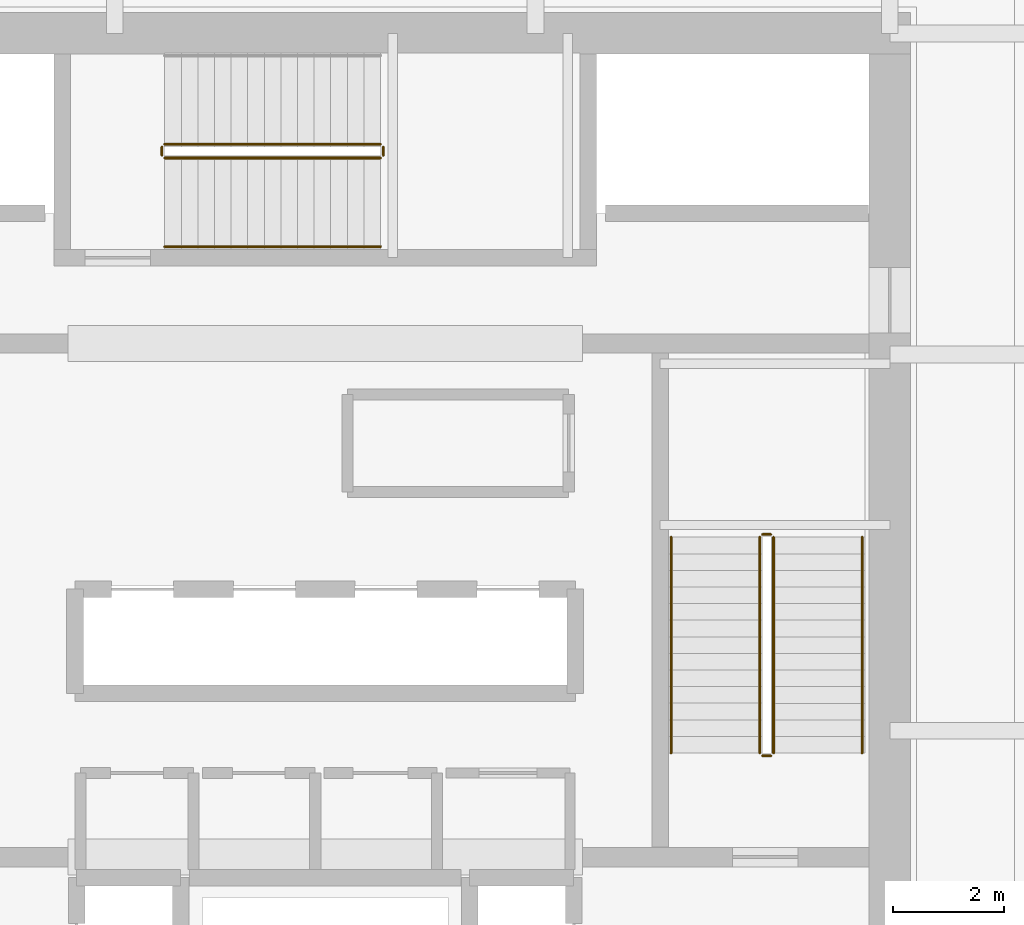
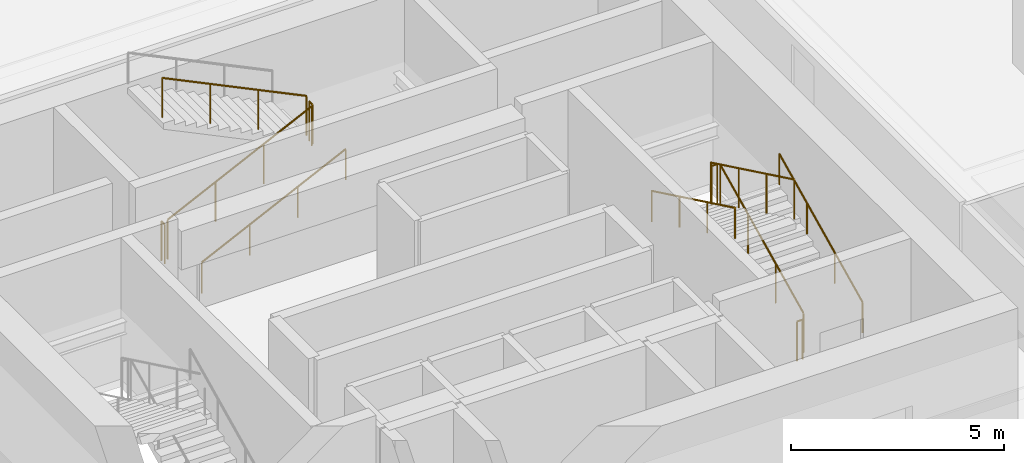
# One storey, part 37 of 42: 11 railings.
"""IFC4 building model written with IfcOpenShell, lengths in metres."""

import ifcopenshell
import ifcopenshell.guid

model = None  # the IFC model being written
_history = None  # IfcOwnerHistory: only IFC2X3 demands one
_inside = {}  # id of a spatial element -> (the spatial element, [elements in it])
_under = {}  # id of a project, library or spatial element -> (it, [spatial elements below it])
_declared = {}  # id of a project -> (the project, [libraries it declares])
_typed = {}  # id of a type object -> (the type object, [elements of that type])
_made_of = {}  # id of a material, layer set ... -> (it, [elements and type objects made of it])


def new_model(schema):
    """Start an empty IFC model of exactly this schema.

    Asked for "IFC4X3", IfcOpenShell would pick the latest addendum, in which some entities
    have other attributes; the version numbers below select the first issue.
    IFC2X3 requires an IfcOwnerHistory on every rooted entity: one is made here for all.
    """
    global model, _history
    if schema == "IFC4X3":
        model = ifcopenshell.file(schema_version=(4, 3, 0, 0))
    else:
        model = ifcopenshell.file(schema=schema)
    _inside.clear()
    _under.clear()
    _declared.clear()
    _typed.clear()
    _made_of.clear()
    _history = None
    if model.schema == "IFC2X3":
        org = make("IfcOrganization", Name="unknown")
        user = make(
            "IfcPersonAndOrganization",
            ThePerson=make("IfcPerson", FamilyName="unknown"),
            TheOrganization=org,
        )
        app = make(
            "IfcApplication",
            ApplicationDeveloper=org,
            Version="unknown",
            ApplicationFullName="unknown",
            ApplicationIdentifier="unknown",
        )
        _history = make(
            "IfcOwnerHistory",
            OwningUser=user,
            OwningApplication=app,
            ChangeAction="ADDED",
            CreationDate=0,
        )
    return model


def make(cls, **values):
    """One entity of the class cls with the attributes given. An attribute that is None is left unset."""
    return model.create_entity(
        cls, **{name: value for name, value in values.items() if value is not None}
    )


def rooted(cls, **values):
    """An entity with a GlobalId (a new one), such as an element, a storey or a relation."""
    return make(cls, GlobalId=ifcopenshell.guid.new(), OwnerHistory=_history, **values)


def si_unit(unit_type, name, prefix=None):
    """IfcSIUnit, for example si_unit("LENGTHUNIT", "METRE", prefix="MILLI")."""
    return make("IfcSIUnit", UnitType=unit_type, Prefix=prefix, Name=name)


def assignment(units):
    """IfcUnitAssignment: the units of a project."""
    return None if units is None else make("IfcUnitAssignment", Units=units)


def point(xyz):
    """IfcCartesianPoint."""
    return None if xyz is None else make("IfcCartesianPoint", Coordinates=xyz)


def direction(xyz):
    """IfcDirection."""
    return None if xyz is None else make("IfcDirection", DirectionRatios=xyz)


def frame(location, z_axis=None, x_axis=None):
    """IfcAxis2Placement3D, a coordinate frame: its origin and axes. An axis left out is left unset."""
    return make(
        "IfcAxis2Placement3D",
        Location=point(location),
        Axis=direction(z_axis),
        RefDirection=direction(x_axis),
    )


def frame_2d(location, x_axis=None):
    """IfcAxis2Placement2D, a coordinate frame in the plane: its origin and x axis."""
    return make(
        "IfcAxis2Placement2D", Location=point(location), RefDirection=direction(x_axis)
    )


def origin():
    """The frame at (0, 0, 0) with its axes left unset."""
    return frame((0.0, 0.0, 0.0))


def origin_2d():
    """The frame at (0, 0) in the plane with its x axis left unset."""
    return frame_2d((0.0, 0.0))


def place(relative_to, where):
    """IfcLocalPlacement: puts the frame where relative to a parent placement (None: the world)."""
    return make(
        "IfcLocalPlacement", PlacementRelTo=relative_to, RelativePlacement=where
    )


def context(
    kind, dimensions, precision=None, world=None, true_north=None, identifier=None
):
    """IfcGeometricRepresentationContext, for example the 3D "Model" context."""
    return make(
        "IfcGeometricRepresentationContext",
        ContextIdentifier=identifier,
        ContextType=kind,
        CoordinateSpaceDimension=dimensions,
        Precision=precision,
        WorldCoordinateSystem=world,
        TrueNorth=true_north,
    )


def subcontext(parent, identifier, kind, view, scale=None):
    """IfcGeometricRepresentationSubContext, for example "Body" below "Model"."""
    return make(
        "IfcGeometricRepresentationSubContext",
        ContextIdentifier=identifier,
        ContextType=kind,
        ParentContext=parent,
        TargetScale=scale,
        TargetView=view,
    )


def project(units=None, contexts=None):
    """IfcProject with its units and contexts."""
    return rooted(
        "IfcProject",
        Name="project",
        RepresentationContexts=contexts,
        UnitsInContext=assignment(units),
    )


def spatial(cls, under=None, at=None, **own):
    """A site, building, storey or space (cls), placed at a placement, below another one or the project."""
    s = rooted(cls, ObjectPlacement=at, **own)
    if under is not None:
        _under.setdefault(under.id(), (under, []))[1].append(s)
    return s


def profile(cls, at=None, kind="AREA", **sizes):
    """A parametric profile (cls). Its sizes go by their IFC names, for example OverallWidth=200.0."""
    return make(cls, ProfileType=kind, Position=at, **sizes)


def circle(**sizes):
    """IfcCircleProfileDef."""
    return profile("IfcCircleProfileDef", **sizes)


def extrude(swept, where, along, depth):
    """IfcExtrudedAreaSolid: the profile swept, set in the frame where, extruded along a direction by depth."""
    return make(
        "IfcExtrudedAreaSolid",
        SweptArea=swept,
        Position=where,
        ExtrudedDirection=direction(along),
        Depth=depth,
    )


def shape(context_of_items, identifier, shape_type, items):
    """IfcShapeRepresentation: the items that make up one representation, for example the "Body"."""
    return make(
        "IfcShapeRepresentation",
        ContextOfItems=context_of_items,
        RepresentationIdentifier=identifier,
        RepresentationType=shape_type,
        Items=items,
    )


def material(Name=None, Category=None):
    """IfcMaterial."""
    return make("IfcMaterial", Name=Name, Category=Category)


def made_of(thing, what):
    """Note that an element or type object is made of a material, layer set ...; save() writes the relation."""
    if what is not None:
        _made_of.setdefault(what.id(), (what, []))[1].append(thing)
    return thing


def type_object(cls, material=None, **own):
    """A type object (cls), such as IfcWallType, which elements share."""
    return made_of(rooted(cls, **own), material)


def element(
    cls,
    number,
    at=None,
    inside=None,
    cuts=None,
    type_object=None,
    material=None,
    context=None,
    identifier="Body",
    shape_type=None,
    held_by="IfcProductDefinitionShape",
    body=None,
    shapes=None,
    **own,
):
    """One element of the class cls, such as IfcWall. Its Tag is "e" and its number.

    at: its placement. inside: the storey or other place that contains it. cuts: it is an
    opening in that element (IfcRelVoidsElement). A single representation is given by context,
    identifier, shape_type and body (its items); several are given by shapes. held_by: the class
    of the entity that holds the representations. save() writes the other relations.
    """
    e = rooted(cls, Tag="e%d" % number, ObjectPlacement=at, **own)
    if body is not None:
        shapes = [shape(context, identifier, shape_type, body)]
    if shapes is not None:
        e.Representation = make(held_by, Representations=shapes)
    if inside is not None:
        _inside.setdefault(inside.id(), (inside, []))[1].append(e)
    if cuts is not None:
        rooted(
            "IfcRelVoidsElement", RelatingBuildingElement=cuts, RelatedOpeningElement=e
        )
    if type_object is not None:
        _typed.setdefault(type_object.id(), (type_object, []))[1].append(e)
    return made_of(e, material)


def aggregate(whole, parts):
    """IfcRelAggregates: a whole, such as a stair, and the parts it consists of."""
    return rooted("IfcRelAggregates", RelatingObject=whole, RelatedObjects=parts)


def save(model, path):
    """Write the relations noted so far, then the file.

    IfcRelAggregates (storeys below a building ...), IfcRelContainedInSpatialStructure (elements
    in a storey), IfcRelDefinesByType, IfcRelAssociatesMaterial and IfcRelDeclares: one each for
    every whole, place, type object, material and project.
    """
    for whole, parts in _under.values():
        aggregate(whole, parts)
    for where, things in _inside.values():
        rooted(
            "IfcRelContainedInSpatialStructure",
            RelatedElements=things,
            RelatingStructure=where,
        )
    for kind, things in _typed.values():
        rooted("IfcRelDefinesByType", RelatedObjects=things, RelatingType=kind)
    for what, things in _made_of.values():
        rooted("IfcRelAssociatesMaterial", RelatedObjects=things, RelatingMaterial=what)
    for by, libraries in _declared.values():
        rooted("IfcRelDeclares", RelatingContext=by, RelatedDefinitions=libraries)
    model.write(path)


model = new_model("IFC4")

# Units and contexts
model_context = context("Model", 3, precision=1e-05, world=origin(), true_north=direction((0.0, 1.0)))
body_context = subcontext(model_context, "Body", "Model", "MODEL_VIEW")
ifc_project = project(units=[si_unit("LENGTHUNIT", "METRE"), si_unit("AREAUNIT", "SQUARE_METRE"), si_unit("VOLUMEUNIT", "CUBIC_METRE"), si_unit("PLANEANGLEUNIT", "RADIAN"), si_unit("MASSUNIT", "GRAM", prefix="KILO")], contexts=[model_context])

# Site, building, storey
site_placement = place(None, origin())
site = spatial("IfcSite", under=ifc_project, at=site_placement, CompositionType="ELEMENT")
building_placement = place(site_placement, origin())
building = spatial("IfcBuilding", under=site, at=building_placement, Name="Punatoya Terracotta Tower", CompositionType="ELEMENT")
storey_placement = place(building_placement, frame((0.0, 0.0, 88.949951171875)))
storey = spatial("IfcBuildingStorey", under=building, at=storey_placement, Name="L20", CompositionType="ELEMENT", Elevation=88.949951171875)

# Railings
ifc_material = material(Name="Steel S355", Category="steel")
railing_type_1 = type_object("IfcRailingType", Name="RLG-GRD-1150", PredefinedType="GUARDRAIL", material=ifc_material)
railing_1_placement = place(storey_placement, frame((8.10009765625, -3.800048828125, 0.144775390625)))
element("IfcRailing", 1, at=railing_1_placement, inside=storey, type_object=railing_type_1, Name="L20 ST-2 stair guard 1", PredefinedType="GUARDRAIL", context=body_context, shape_type="SweptSolid", body=[
    extrude(circle(Radius=0.02392578125, at=origin_2d()), frame((0.0, 0.0, 1.1259765625), z_axis=(0.0, 0.900773802044, 0.434288564841), x_axis=(-1.0, 0.0, 0.0)), (0.0, 0.0, 1.0), 4.329833984375),
    extrude(circle(Radius=0.02099609375, at=origin_2d()), origin(), (0.0, 0.0, 1.0), 1.101806640625),
    extrude(circle(Radius=0.02099609375, at=origin_2d()), frame((0.0, 1.300048828125, 0.626708984375)), (0.0, 0.0, 1.0), 1.101806640625),
    extrude(circle(Radius=0.02099609375, at=origin_2d()), frame((0.0, 2.60009765625, 1.253662109375)), (0.0, 0.0, 1.0), 1.101806640625),
    extrude(circle(Radius=0.02099609375, at=origin_2d()), frame((0.0, 3.900146484375, 1.88037109375)), (0.0, 0.0, 1.0), 1.101806640625),
])
railing_2_placement = place(storey_placement, frame((8.050048828125, 0.14990234375, 2.025146484375)))
element("IfcRailing", 2, at=railing_2_placement, inside=storey, type_object=railing_type_1, Name="L20 ST-2 stair guard 2", PredefinedType="GUARDRAIL", context=body_context, shape_type="SweptSolid", body=[
    extrude(circle(Radius=0.02392578125, at=origin_2d()), frame((0.0, 0.0, 1.1259765625), z_axis=(-1.0, 0.0, 0.0), x_axis=(0.0, -1.0, 0.0)), (0.0, 0.0, 1.0), 0.150146484375),
    extrude(circle(Radius=0.02099609375, at=origin_2d()), origin(), (0.0, 0.0, 1.0), 1.101806640625),
    extrude(circle(Radius=0.02099609375, at=origin_2d()), frame((-0.150146484375, 0.0, 0.0)), (0.0, 0.0, 1.0), 1.101806640625),
])
railing_3_placement = place(storey_placement, frame((7.85009765625, 0.10009765625, 2.169677734375)))
element("IfcRailing", 3, at=railing_3_placement, inside=storey, type_object=railing_type_1, Name="L20 ST-2 stair guard 3", PredefinedType="GUARDRAIL", context=body_context, shape_type="SweptSolid", body=[
    extrude(circle(Radius=0.02392578125, at=origin_2d()), frame((0.0, 0.0, 1.1259765625), z_axis=(0.0, -0.900773802044, 0.434288564841), x_axis=(1.0, 0.0, 0.0)), (0.0, 0.0, 1.0), 4.329833984375),
    extrude(circle(Radius=0.02099609375, at=origin_2d()), origin(), (0.0, 0.0, 1.0), 1.101806640625),
    extrude(circle(Radius=0.02099609375, at=origin_2d()), frame((0.0, -1.300048828125, 0.626708984375)), (0.0, 0.0, 1.0), 1.101806640625),
    extrude(circle(Radius=0.02099609375, at=origin_2d()), frame((0.0, -2.60009765625, 1.253662109375)), (0.0, 0.0, 1.0), 1.101806640625),
    extrude(circle(Radius=0.02099609375, at=origin_2d()), frame((0.0, -3.900146484375, 1.88037109375)), (0.0, 0.0, 1.0), 1.101806640625),
])
railing_4_placement = place(storey_placement, frame((8.050048828125, -3.85009765625, 0.0)))
element("IfcRailing", 4, at=railing_4_placement, inside=storey, type_object=railing_type_1, Name="L20 ST-2 stair guard 4", PredefinedType="GUARDRAIL", context=body_context, shape_type="SweptSolid", body=[
    extrude(circle(Radius=0.02392578125, at=origin_2d()), frame((0.0, 0.0, 1.1259765625), z_axis=(-1.0, 0.0, 0.0), x_axis=(0.0, -1.0, 0.0)), (0.0, 0.0, 1.0), 0.150146484375),
    extrude(circle(Radius=0.02099609375, at=origin_2d()), origin(), (0.0, 0.0, 1.0), 1.101806640625),
    extrude(circle(Radius=0.02099609375, at=origin_2d()), frame((-0.150146484375, 0.0, 0.0)), (0.0, 0.0, 1.0), 1.101806640625),
])
railing_5_placement = place(storey_placement, frame((-2.89990234375, 6.949951171875, 0.144775390625)))
element("IfcRailing", 5, at=railing_5_placement, inside=storey, type_object=railing_type_1, Name="L20 ST-3 stair guard 1", PredefinedType="GUARDRAIL", context=body_context, shape_type="SweptSolid", body=[
    extrude(circle(Radius=0.02392578125, at=origin_2d()), frame((0.0, 0.0, 1.1259765625), z_axis=(0.900763166376, 0.0, 0.434310623978), x_axis=(0.0, 1.0, 0.0)), (0.0, 0.0, 1.0), 4.32958984375),
    extrude(circle(Radius=0.02099609375, at=origin_2d()), origin(), (0.0, 0.0, 1.0), 1.101806640625),
    extrude(circle(Radius=0.02099609375, at=origin_2d()), frame((1.300048828125, 0.0, 0.626708984375)), (0.0, 0.0, 1.0), 1.101806640625),
    extrude(circle(Radius=0.02099609375, at=origin_2d()), frame((2.599853515625, 0.0, 1.253662109375)), (0.0, 0.0, 1.0), 1.101806640625),
    extrude(circle(Radius=0.02099609375, at=origin_2d()), frame((3.89990234375, 0.0, 1.88037109375)), (0.0, 0.0, 1.0), 1.101806640625),
])
railing_6_placement = place(storey_placement, frame((1.050048828125, 7.0, 2.025146484375)))
element("IfcRailing", 6, at=railing_6_placement, inside=storey, type_object=railing_type_1, Name="L20 ST-3 stair guard 2", PredefinedType="GUARDRAIL", context=body_context, shape_type="SweptSolid", body=[
    extrude(circle(Radius=0.02392578125, at=origin_2d()), frame((0.0, 0.0, 1.1259765625), z_axis=(0.0, 1.0, 0.0), x_axis=(-1.0, 0.0, 0.0)), (0.0, 0.0, 1.0), 0.14990234375),
    extrude(circle(Radius=0.02099609375, at=origin_2d()), origin(), (0.0, 0.0, 1.0), 1.101806640625),
    extrude(circle(Radius=0.02099609375, at=origin_2d()), frame((0.0, 0.14990234375, 0.0)), (0.0, 0.0, 1.0), 1.101806640625),
])
railing_7_placement = place(storey_placement, frame((1.0, 7.199951171875, 2.169677734375)))
element("IfcRailing", 7, at=railing_7_placement, inside=storey, type_object=railing_type_1, Name="L20 ST-3 stair guard 3", PredefinedType="GUARDRAIL", context=body_context, shape_type="SweptSolid", body=[
    extrude(circle(Radius=0.02392578125, at=origin_2d()), frame((0.0, 0.0, 1.1259765625), z_axis=(-0.900763166376, 0.0, 0.434310623978), x_axis=(0.0, -1.0, 0.0)), (0.0, 0.0, 1.0), 4.32958984375),
    extrude(circle(Radius=0.02099609375, at=origin_2d()), origin(), (0.0, 0.0, 1.0), 1.101806640625),
    extrude(circle(Radius=0.02099609375, at=origin_2d()), frame((-1.300048828125, 0.0, 0.626708984375)), (0.0, 0.0, 1.0), 1.101806640625),
    extrude(circle(Radius=0.02099609375, at=origin_2d()), frame((-2.599853515625, 0.0, 1.253662109375)), (0.0, 0.0, 1.0), 1.101806640625),
    extrude(circle(Radius=0.02099609375, at=origin_2d()), frame((-3.89990234375, 0.0, 1.88037109375)), (0.0, 0.0, 1.0), 1.101806640625),
])
railing_8_placement = place(storey_placement, frame((-2.949951171875, 7.0, 0.0)))
element("IfcRailing", 8, at=railing_8_placement, inside=storey, type_object=railing_type_1, Name="L20 ST-3 stair guard 4", PredefinedType="GUARDRAIL", context=body_context, shape_type="SweptSolid", body=[
    extrude(circle(Radius=0.02392578125, at=origin_2d()), frame((0.0, 0.0, 1.1259765625), z_axis=(0.0, 1.0, 0.0), x_axis=(-1.0, 0.0, 0.0)), (0.0, 0.0, 1.0), 0.14990234375),
    extrude(circle(Radius=0.02099609375, at=origin_2d()), origin(), (0.0, 0.0, 1.0), 1.101806640625),
    extrude(circle(Radius=0.02099609375, at=origin_2d()), frame((0.0, 0.14990234375, 0.0)), (0.0, 0.0, 1.0), 1.101806640625),
])
railing_type_2 = type_object("IfcRailingType", Name="RLG-HND-900", PredefinedType="HANDRAIL", material=ifc_material)
railing_9_placement = place(storey_placement, frame((9.699951171875, -3.800048828125, 0.144775390625)))
element("IfcRailing", 9, at=railing_9_placement, inside=storey, type_object=railing_type_2, Name="L20 ST-2 stair handrail 1", PredefinedType="HANDRAIL", context=body_context, shape_type="SweptSolid", body=[
    extrude(circle(Radius=0.02392578125, at=origin_2d()), frame((0.0, 0.0, 0.8759765625), z_axis=(0.0, 0.900773802044, 0.434288564841), x_axis=(-1.0, 0.0, 0.0)), (0.0, 0.0, 1.0), 4.329833984375),
    extrude(circle(Radius=0.02099609375, at=origin_2d()), origin(), (0.0, 0.0, 1.0), 0.851806640625),
    extrude(circle(Radius=0.02099609375, at=origin_2d()), frame((0.0, 1.300048828125, 0.626708984375)), (0.0, 0.0, 1.0), 0.851806640625),
    extrude(circle(Radius=0.02099609375, at=origin_2d()), frame((0.0, 2.60009765625, 1.253662109375)), (0.0, 0.0, 1.0), 0.851806640625),
    extrude(circle(Radius=0.02099609375, at=origin_2d()), frame((0.0, 3.900146484375, 1.88037109375)), (0.0, 0.0, 1.0), 0.851806640625),
])
railing_10_placement = place(storey_placement, frame((6.25, 0.10009765625, 2.169677734375)))
element("IfcRailing", 10, at=railing_10_placement, inside=storey, type_object=railing_type_2, Name="L20 ST-2 stair handrail 2", PredefinedType="HANDRAIL", context=body_context, shape_type="SweptSolid", body=[
    extrude(circle(Radius=0.02392578125, at=origin_2d()), frame((0.0, 0.0, 0.8759765625), z_axis=(0.0, -0.900773802044, 0.434288564841), x_axis=(1.0, 0.0, 0.0)), (0.0, 0.0, 1.0), 4.329833984375),
    extrude(circle(Radius=0.02099609375, at=origin_2d()), origin(), (0.0, 0.0, 1.0), 0.851806640625),
    extrude(circle(Radius=0.02099609375, at=origin_2d()), frame((0.0, -1.300048828125, 0.626708984375)), (0.0, 0.0, 1.0), 0.851806640625),
    extrude(circle(Radius=0.02099609375, at=origin_2d()), frame((0.0, -2.60009765625, 1.253662109375)), (0.0, 0.0, 1.0), 0.851806640625),
    extrude(circle(Radius=0.02099609375, at=origin_2d()), frame((0.0, -3.900146484375, 1.88037109375)), (0.0, 0.0, 1.0), 0.851806640625),
])
railing_11_placement = place(storey_placement, frame((-2.89990234375, 5.35009765625, 0.144775390625)))
element("IfcRailing", 11, at=railing_11_placement, inside=storey, type_object=railing_type_2, Name="L20 ST-3 stair handrail 1", PredefinedType="HANDRAIL", context=body_context, shape_type="SweptSolid", body=[
    extrude(circle(Radius=0.02392578125, at=origin_2d()), frame((0.0, 0.0, 0.8759765625), z_axis=(0.900763166376, 0.0, 0.434310623978), x_axis=(0.0, 1.0, 0.0)), (0.0, 0.0, 1.0), 4.32958984375),
    extrude(circle(Radius=0.02099609375, at=origin_2d()), origin(), (0.0, 0.0, 1.0), 0.851806640625),
    extrude(circle(Radius=0.02099609375, at=origin_2d()), frame((1.300048828125, 0.0, 0.626708984375)), (0.0, 0.0, 1.0), 0.851806640625),
    extrude(circle(Radius=0.02099609375, at=origin_2d()), frame((2.599853515625, 0.0, 1.253662109375)), (0.0, 0.0, 1.0), 0.851806640625),
    extrude(circle(Radius=0.02099609375, at=origin_2d()), frame((3.89990234375, 0.0, 1.88037109375)), (0.0, 0.0, 1.0), 0.851806640625),
])

save(model, "model.ifc")
